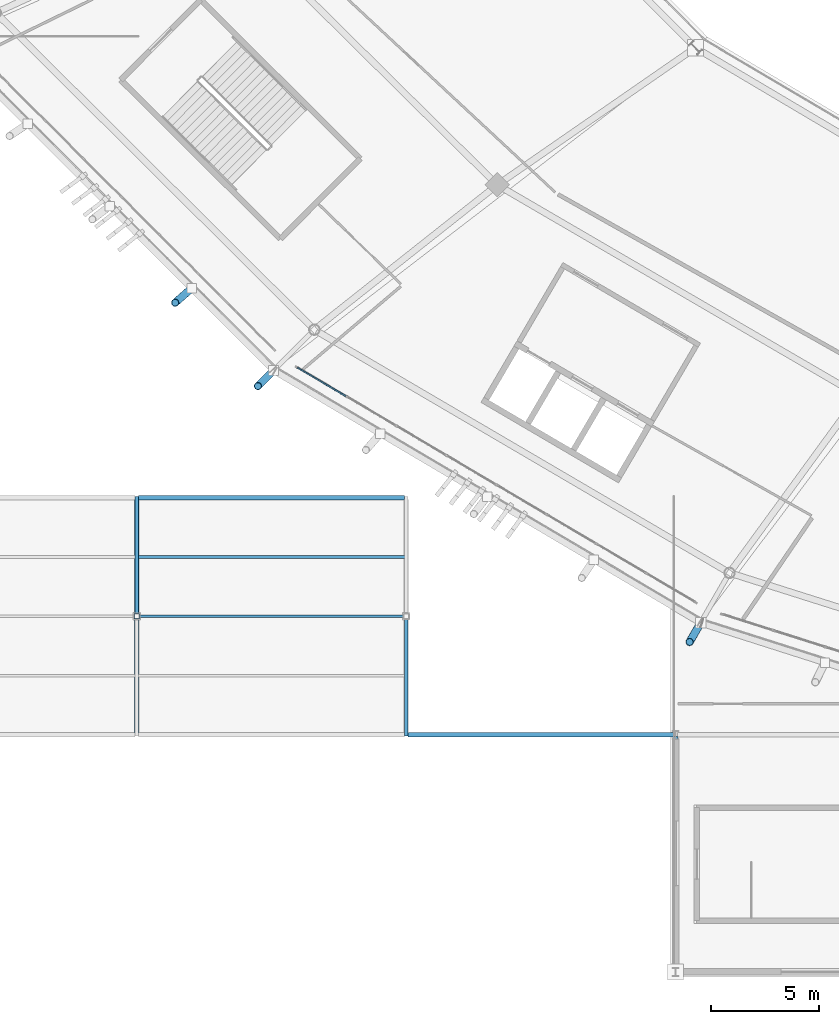
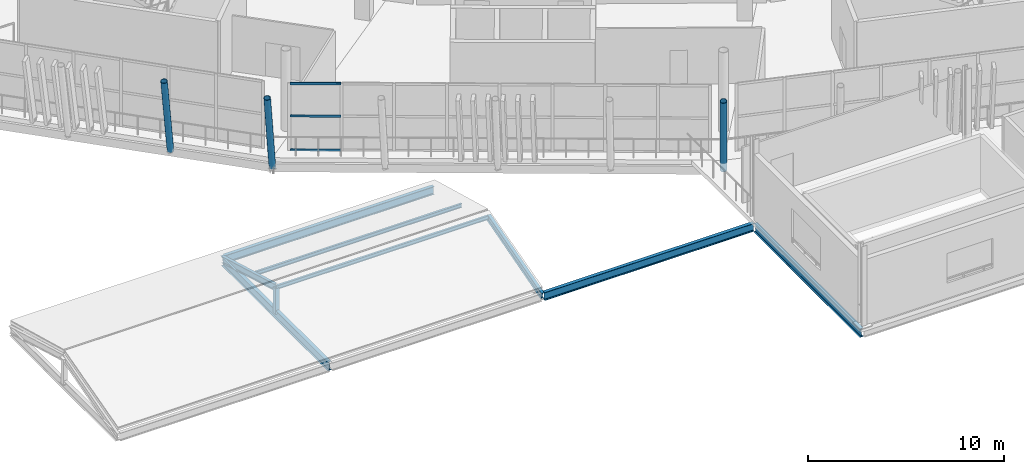
# One storey, part 24 of 179: 11 members, 4 beams, 1 element without a shape of its own.
"""IFC4 building model written with IfcOpenShell, lengths in metres."""

from ifc_helpers import new_model, si_unit, direction, frame, origin, origin_2d, place, context, subcontext, project, spatial, rectangle, hollow_rectangle, hollow_circle, i_section, extrude, material, material_profile, profile_set, type_object, element, aggregate, save


model = new_model("IFC4")

# Units and contexts
model_context = context("Model", 3, precision=1e-05, world=origin(), true_north=direction((0.0, 1.0)))
body_context = subcontext(model_context, "Body", "Model", "MODEL_VIEW")
ifc_project = project(units=[si_unit("LENGTHUNIT", "METRE"), si_unit("AREAUNIT", "SQUARE_METRE"), si_unit("VOLUMEUNIT", "CUBIC_METRE"), si_unit("PLANEANGLEUNIT", "RADIAN"), si_unit("MASSUNIT", "GRAM", prefix="KILO")], contexts=[model_context])

# Site, building, storey
site_placement = place(None, origin())
site = spatial("IfcSite", under=ifc_project, at=site_placement, CompositionType="ELEMENT")
building_placement = place(site_placement, origin())
building = spatial("IfcBuilding", under=site, at=building_placement, Name="Zlatoyarsky Gate Stadium", CompositionType="ELEMENT")
storey_placement = place(building_placement, frame((0.0, 0.0, 10.60009765625)))
storey = spatial("IfcBuildingStorey", under=building, at=storey_placement, Name="L02", CompositionType="ELEMENT", Elevation=10.60009765625)

# Curtain wall, members
ifc_material_1 = material(Name="Thermally broken anodised aluminium curtain wall", Category="aluminium")
curtain_wall_type = type_object("IfcCurtainWallType", Name="UNITISED HOSPITALITY GLAZING L02", PredefinedType="USERDEFINED", material=ifc_material_1)
curtain_wall_placement = place(storey_placement, origin())
curtain_wall = element("IfcCurtainWall", 1, at=curtain_wall_placement, inside=storey, type_object=curtain_wall_type, Name="Curtain wall CW-L02-15", ObjectType="UNITISED GLAZING", PredefinedType="USERDEFINED")
ifc_material_2 = material(Name="Anodised aluminium 6063-T6", Category="aluminium")
ifc_material_profile_1 = material_profile(ifc_material_2, rectangle(XDim=0.06494140625, YDim=0.139892578125, at=origin_2d()), Name="ALU 65X140")
ifc_profile_set_1 = profile_set([ifc_material_profile_1], Name="Anodised aluminium 6063-T6")
member_type_1 = type_object("IfcMemberType", Name="ALUMINIUM TRANSOM 65X140", PredefinedType="USERDEFINED", material=ifc_profile_set_1)
member_1_placement = place(storey_placement, frame((44.457763671875, 28.03515625, 0.032470703125), z_axis=(0.861428189178, -0.507879390102, 0.0), x_axis=(0.507879390102, 0.861428189178, 0.0)))
member_1 = element("IfcMember", 2, at=member_1_placement, type_object=member_type_1, Name="CW-UG2 transom 1.1", ObjectType="TRANSOM", PredefinedType="USERDEFINED", context=body_context, shape_type="SweptSolid", body=[
    extrude(rectangle(XDim=0.06494140625, YDim=0.139892578125, at=origin_2d()), origin(), (0.0, 0.0, 1.0), 2.594482421875),
])
member_2_placement = place(storey_placement, frame((44.457763671875, 28.03515625, 2.14990234375), z_axis=(0.861428189178, -0.507879390102, 0.0), x_axis=(0.507879390102, 0.861428189178, 0.0)))
member_2 = element("IfcMember", 3, at=member_2_placement, type_object=member_type_1, Name="CW-UG2 transom 1.2", ObjectType="TRANSOM", PredefinedType="USERDEFINED", context=body_context, shape_type="SweptSolid", body=[
    extrude(rectangle(XDim=0.06494140625, YDim=0.139892578125, at=origin_2d()), origin(), (0.0, 0.0, 1.0), 2.594482421875),
])
member_3_placement = place(storey_placement, frame((44.457763671875, 28.03515625, 4.16748046875), z_axis=(0.861428189178, -0.507879390102, 0.0), x_axis=(0.507879390102, 0.861428189178, 0.0)))
member_3 = element("IfcMember", 4, at=member_3_placement, type_object=member_type_1, Name="CW-UG2 transom 1.3", ObjectType="TRANSOM", PredefinedType="USERDEFINED", context=body_context, shape_type="SweptSolid", body=[
    extrude(rectangle(XDim=0.06494140625, YDim=0.139892578125, at=origin_2d()), origin(), (0.0, 0.0, 1.0), 2.594482421875),
])
aggregate(curtain_wall, [member_1, member_2, member_3])

# Beams
ifc_material_3 = material(Name="Steel S355", Category="steel")
ifc_material_profile_2 = material_profile(ifc_material_3, i_section(OverallWidth=0.199951171875, OverallDepth=0.5, WebThickness=0.01025390625, FlangeThickness=0.01611328125, FilletRadius=0.02099609375, at=origin_2d()), Name="IPE 500")
ifc_profile_set_2 = profile_set([ifc_material_profile_2], Name="Steel S355")
beam_type_1 = type_object("IfcBeamType", Name="STEEL FLOOR BEAM IPE 500", PredefinedType="BEAM", material=ifc_profile_set_2)
for number, where, z_axis, x_axis, name in (
    (5, (37.080078125, 22.0, -0.530029296875), (1.0, 0.0, 0.0), (0.0, 1.0, 0.0), "Beam B-IPE500 BM-L02-WGX-4-C"),
    (6, (49.580078125, 11.0, -0.530029296875), (1.0, 0.0, 0.0), (0.0, 1.0, 0.0), "Beam B-IPE500 BM-L02-WGX-5-B"),
):
    element("IfcBeam", number, at=place(storey_placement, frame(where, z_axis=z_axis, x_axis=x_axis)), inside=storey, type_object=beam_type_1, Name=name, PredefinedType="BEAM", context=body_context, shape_type="SweptSolid", body=[
        extrude(i_section(OverallWidth=0.199951171875, OverallDepth=0.5, WebThickness=0.01025390625, FlangeThickness=0.01611328125, FilletRadius=0.02099609375, at=origin_2d()), origin(), (0.0, 0.0, 1.0), 12.33984375),
    ])
ifc_material_profile_3 = material_profile(ifc_material_3, i_section(OverallWidth=0.2099609375, OverallDepth=0.550048828125, WebThickness=0.010986328125, FlangeThickness=0.01708984375, FilletRadius=0.02392578125, at=origin_2d()), Name="IPE 550")
ifc_profile_set_3 = profile_set([ifc_material_profile_3], Name="Steel S355")
beam_type_2 = type_object("IfcBeamType", Name="STEEL FLOOR BEAM IPE 550", PredefinedType="BEAM", material=ifc_profile_set_3)
for number, where, z_axis, x_axis, name in (
    (7, (37.0, 11.080078125, -0.55517578125), (0.0, 1.0, 0.0), (-1.0, 0.0, 0.0), "Beam B-IPE550 BM-L02-WGY-4-B"),
    (8, (62.0, 0.080078125, -0.55517578125), (0.0, 1.0, 0.0), (-1.0, 0.0, 0.0), "Beam B-IPE550 BM-L02-WGY-6-A"),
):
    element("IfcBeam", number, at=place(storey_placement, frame(where, z_axis=z_axis, x_axis=x_axis)), inside=storey, type_object=beam_type_2, Name=name, PredefinedType="BEAM", context=body_context, shape_type="SweptSolid", body=[
        extrude(i_section(OverallWidth=0.2099609375, OverallDepth=0.550048828125, WebThickness=0.010986328125, FlangeThickness=0.01708984375, FilletRadius=0.02392578125, at=origin_2d()), origin(), (0.0, 0.0, 1.0), 10.83984375),
    ])

# Members
ifc_material_profile_4 = material_profile(ifc_material_3, hollow_circle(Radius=0.177734375, WallThickness=0.02001953125, at=origin_2d()), Name="CHS 355.6X20")
ifc_profile_set_4 = profile_set([ifc_material_profile_4], Name="Steel S355")
member_type_2 = type_object("IfcMemberType", Name="STEEL LEANING RIB RING STRUT CHS 355.6X20", PredefinedType="STRUT", material=ifc_profile_set_4)
for number, where, z_axis, x_axis, name in (
    (9, (43.346923828125, 27.9033203125, -0.580078125), (-0.142200329334, -0.142200329334, 0.979570381685), (0.707106781187, -0.707106781187, 0.0), "Leaning ring strut 15 L02 to L03"),
    (10, (63.162109375, 16.19482421875, -0.580078125), (-0.100540139669, -0.174151593024, 0.97957281657), (0.866039032844, -0.499976393034, 0.0), "Leaning ring strut 16 L02 to L03"),
):
    element("IfcMember", number, at=place(storey_placement, frame(where, z_axis=z_axis, x_axis=x_axis)), inside=storey, type_object=member_type_2, Name=name, PredefinedType="STRUT", context=body_context, shape_type="SweptSolid", body=[
        extrude(hollow_circle(Radius=0.177734375, WallThickness=0.02001953125, at=origin_2d()), origin(), (0.0, 0.0, 1.0), 5.104248046875),
    ])
member_4_placement = place(storey_placement, frame((39.545654296875, 31.718017578125, -0.530029296875), z_axis=(-0.150180429646, -0.131808564408, 0.979832812729), x_axis=(0.659639578482, -0.751582082343, 0.0)))
element("IfcMember", 11, at=member_4_placement, inside=storey, type_object=member_type_2, Name="Outward-leaning bowl louvre fin rib L02 14-3", PredefinedType="STRUT", context=body_context, shape_type="SweptSolid", body=[
    extrude(hollow_circle(Radius=0.177734375, WallThickness=0.02001953125, at=origin_2d()), origin(), (0.0, 0.0, 1.0), 5.10302734375),
])
ifc_material_profile_5 = material_profile(ifc_material_3, i_section(OverallWidth=0.1201171875, OverallDepth=0.239990234375, WebThickness=0.006103515625, FlangeThickness=0.009765625, FilletRadius=0.014892578125, at=origin_2d()), Name="IPE 240")
ifc_profile_set_5 = profile_set([ifc_material_profile_5], Name="Steel S355")
member_type_3 = type_object("IfcMemberType", Name="STEEL PAVILION ROOF PURLIN IPE 240", PredefinedType="PURLIN", material=ifc_profile_set_5)
for number, where, z_axis, x_axis, name in (
    (12, (37.0, 16.5, 1.06982421875), (1.0, 0.0, 0.0), (0.0, 1.0, 0.0), "V6_SW ridge purlin 2"),
    (13, (37.0, 19.25, 0.14501953125), (1.0, 0.0, 0.0), (0.0, 1.0, 0.0), "V6_SW roof purlin 2N"),
):
    element("IfcMember", number, at=place(storey_placement, frame(where, z_axis=z_axis, x_axis=x_axis)), inside=storey, type_object=member_type_3, Name=name, PredefinedType="PURLIN", context=body_context, shape_type="SweptSolid", body=[
        extrude(i_section(OverallWidth=0.1201171875, OverallDepth=0.239990234375, WebThickness=0.006103515625, FlangeThickness=0.009765625, FilletRadius=0.014892578125, at=origin_2d()), origin(), (0.0, 0.0, 1.0), 12.5),
    ])
ifc_material_profile_6 = material_profile(ifc_material_3, i_section(OverallWidth=0.179931640625, OverallDepth=0.39990234375, WebThickness=0.008544921875, FlangeThickness=0.013427734375, FilletRadius=0.02099609375, at=origin_2d()), Name="IPE 400")
ifc_profile_set_6 = profile_set([ifc_material_profile_6], Name="Steel S355")
member_type_4 = type_object("IfcMemberType", Name="STEEL PAVILION ROOF RAFTER IPE 400", PredefinedType="RAFTER", material=ifc_profile_set_6)
for number, where, z_axis, x_axis, name in (
    (14, (37.0, 22.0, -0.5), (0.0, -0.961598006641, 0.274461789005), (1.0, 0.0, 0.0), "V6_SW roof rafter 2B"),
    (15, (49.5, 11.0, -0.5), (0.0, 0.961598006641, 0.274461789005), (-1.0, 0.0, 0.0), "V6_SW roof rafter 3A"),
):
    element("IfcMember", number, at=place(storey_placement, frame(where, z_axis=z_axis, x_axis=x_axis)), inside=storey, type_object=member_type_4, Name=name, PredefinedType="RAFTER", context=body_context, shape_type="SweptSolid", body=[
        extrude(i_section(OverallWidth=0.179931640625, OverallDepth=0.39990234375, WebThickness=0.008544921875, FlangeThickness=0.013427734375, FilletRadius=0.02099609375, at=origin_2d()), origin(), (0.0, 0.0, 1.0), 5.7197265625),
    ])
ifc_material_profile_7 = material_profile(ifc_material_3, hollow_rectangle(XDim=0.25, YDim=0.25, WallThickness=0.01611328125, at=origin_2d()), Name="SHS 250X250X16")
ifc_profile_set_7 = profile_set([ifc_material_profile_7], Name="Steel S355")
member_type_5 = type_object("IfcMemberType", Name="STEEL PAVILION TRUSS STRUT SHS 250X250X16", PredefinedType="STRUT", material=ifc_profile_set_7)
member_5_placement = place(storey_placement, frame((37.0, 16.5, -0.530029296875), z_axis=(0.0, 0.0, 1.0), x_axis=(1.0, 0.0, 0.0)))
element("IfcMember", 16, at=member_5_placement, inside=storey, type_object=member_type_5, Name="V6_SW king post strut 2", PredefinedType="STRUT", context=body_context, shape_type="SweptSolid", body=[
    extrude(hollow_rectangle(XDim=0.25, YDim=0.25, WallThickness=0.01611328125, at=origin_2d()), origin(), (0.0, 0.0, 1.0), 1.599853515625),
])

save(model, "model.ifc")
